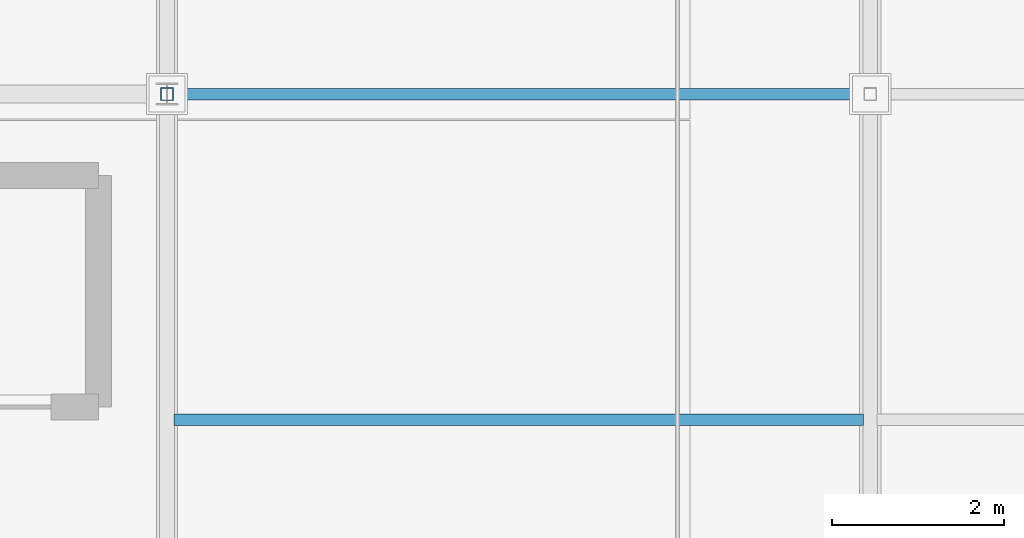
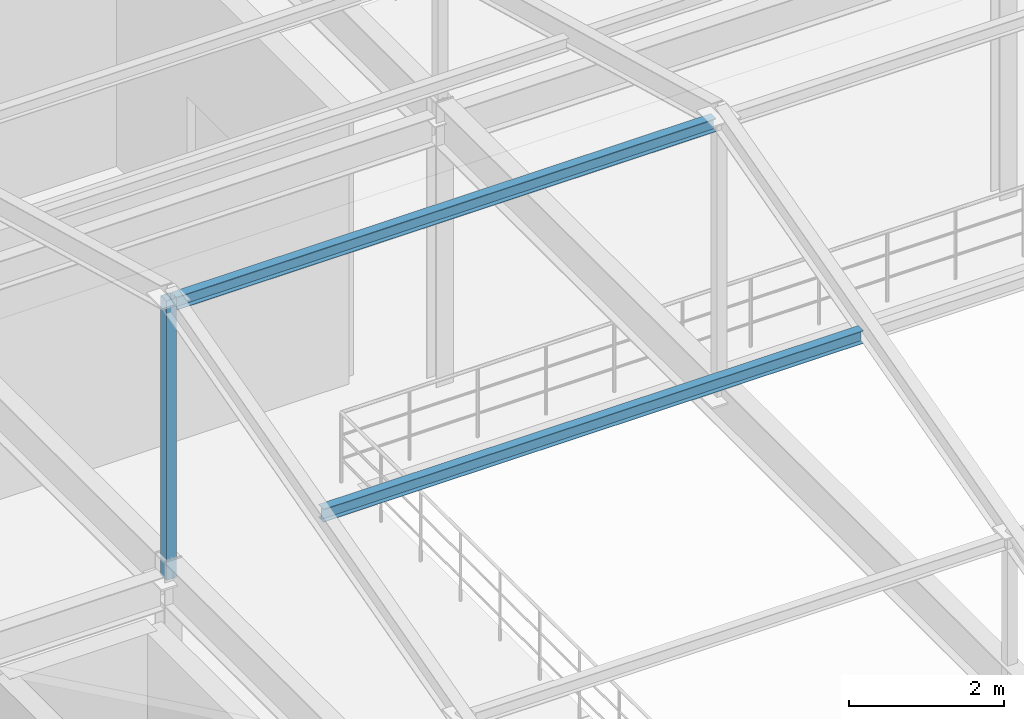
# One storey, part 25 of 112: 3 members.
"""IFC4 building model written with IfcOpenShell, lengths in metres."""

from ifc_helpers import new_model, si_unit, direction, frame, origin, origin_2d, place, context, subcontext, project, spatial, hollow_rectangle, i_section, extrude, material, material_profile, profile_set, type_object, element, save


model = new_model("IFC4")

# Units and contexts
model_context = context("Model", 3, precision=1e-05, world=origin(), true_north=direction((0.0, 1.0)))
body_context = subcontext(model_context, "Body", "Model", "MODEL_VIEW")
ifc_project = project(units=[si_unit("LENGTHUNIT", "METRE"), si_unit("AREAUNIT", "SQUARE_METRE"), si_unit("VOLUMEUNIT", "CUBIC_METRE"), si_unit("PLANEANGLEUNIT", "RADIAN"), si_unit("MASSUNIT", "GRAM", prefix="KILO")], contexts=[model_context])

# Site, building, storey
site_placement = place(None, origin())
site = spatial("IfcSite", under=ifc_project, at=site_placement, CompositionType="ELEMENT")
building_placement = place(site_placement, origin())
building = spatial("IfcBuilding", under=site, at=building_placement, Name="Cinderbank Siding Concert Hall", CompositionType="ELEMENT")
storey_placement = place(building_placement, frame((0.0, 0.0, 10.199951171875)))
storey = spatial("IfcBuildingStorey", under=building, at=storey_placement, Name="L03", CompositionType="ELEMENT", Elevation=10.199951171875)

# Members
ifc_material_1 = material(Name="Structural steel hollow section AS/NZS 1163 Grade C350L0 (350 MPa)", Category="steel")
ifc_material_profile_1 = material_profile(ifc_material_1, hollow_rectangle(XDim=0.14990234375, YDim=0.14990234375, WallThickness=0.008056640625, at=origin_2d()), Name="150x150x8.0SHS", Category="LoadBearing")
ifc_profile_set_1 = profile_set([ifc_material_profile_1], Name="Structural steel hollow section AS/NZS 1163 Grade C350L0 (350 MPa)")
member_type_1 = type_object("IfcMemberType", Name="BR-SHS150 150x150x8.0SHS Roof Truss", PredefinedType="BRACE", material=ifc_profile_set_1)
member_1_placement = place(storey_placement, frame((12.39990234375, 20.800048828125, 4.150146484375), z_axis=(0.0, 0.0, 1.0), x_axis=(1.0, 0.0, 0.0)))
element("IfcMember", 1, at=member_1_placement, inside=storey, type_object=member_type_1, Name="L03 Diagonal Brace BR-SHS150 #V2WB-BR-SHS150-L03-2378", PredefinedType="BRACE", context=body_context, shape_type="SweptSolid", body=[
    extrude(hollow_rectangle(XDim=0.14990234375, YDim=0.14990234375, WallThickness=0.008056640625, at=origin_2d()), origin(), (0.0, 0.0, 1.0), 4.39990234375),
])
ifc_material_2 = material(Name="Structural steel AS/NZS 3679.1 Grade 350 (340 MPa)", Category="steel")
ifc_material_profile_2 = material_profile(ifc_material_2, i_section(OverallWidth=0.133056640625, OverallDepth=0.203125, WebThickness=0.005859375, FlangeThickness=0.0078125, at=origin_2d()), Name="200UB25.4", Category="LoadBearing")
ifc_profile_set_2 = profile_set([ifc_material_profile_2], Name="Structural steel AS/NZS 3679.1 Grade 350 (340 MPa)")
member_type_2 = type_object("IfcMemberType", Name="PR-UB200 200UB25.4 Roof Truss", PredefinedType="PURLIN", material=ifc_profile_set_2)
member_2_placement = place(storey_placement, frame((12.47998046875, 17.0, 7.416015625), z_axis=(1.0, 0.0, 0.0), x_axis=(0.0, 1.0, 0.0)))
element("IfcMember", 2, at=member_2_placement, inside=storey, type_object=member_type_2, Name="L03 Roof Truss Member PR-UB200 #2412", PredefinedType="PURLIN", context=body_context, shape_type="SweptSolid", body=[
    extrude(i_section(OverallWidth=0.133056640625, OverallDepth=0.203125, WebThickness=0.005859375, FlangeThickness=0.0078125, at=origin_2d()), origin(), (0.0, 0.0, 1.0), 8.0400390625),
])
ifc_material_profile_3 = material_profile(ifc_material_2, i_section(OverallWidth=0.134033203125, OverallDepth=0.20703125, WebThickness=0.00634765625, FlangeThickness=0.009521484375, at=origin_2d()), Name="200UB29.8", Category="LoadBearing")
ifc_profile_set_3 = profile_set([ifc_material_profile_3], Name="Structural steel AS/NZS 3679.1 Grade 350 (340 MPa)")
member_type_3 = type_object("IfcMemberType", Name="PR-UB200H 200UB29.8 Roof Truss", PredefinedType="PURLIN", material=ifc_profile_set_3)
member_3_placement = place(storey_placement, frame((12.47998046875, 20.800048828125, 8.449951171875), z_axis=(1.0, 0.0, 0.0), x_axis=(0.0, 1.0, 0.0)))
element("IfcMember", 3, at=member_3_placement, inside=storey, type_object=member_type_3, Name="L03 Roof Truss Member PR-UB200H #2413", PredefinedType="PURLIN", context=body_context, shape_type="SweptSolid", body=[
    extrude(i_section(OverallWidth=0.134033203125, OverallDepth=0.20703125, WebThickness=0.00634765625, FlangeThickness=0.009521484375, at=origin_2d()), origin(), (0.0, 0.0, 1.0), 8.0400390625),
])

save(model, "model.ifc")
